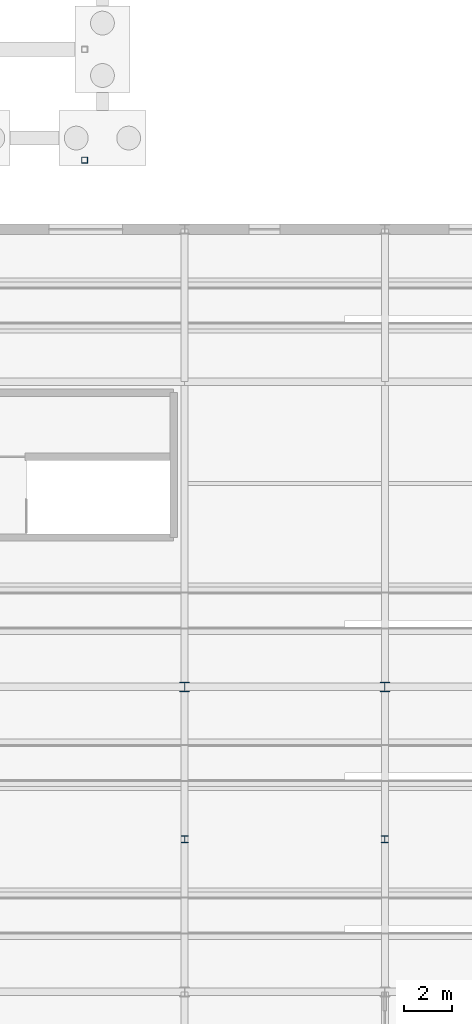
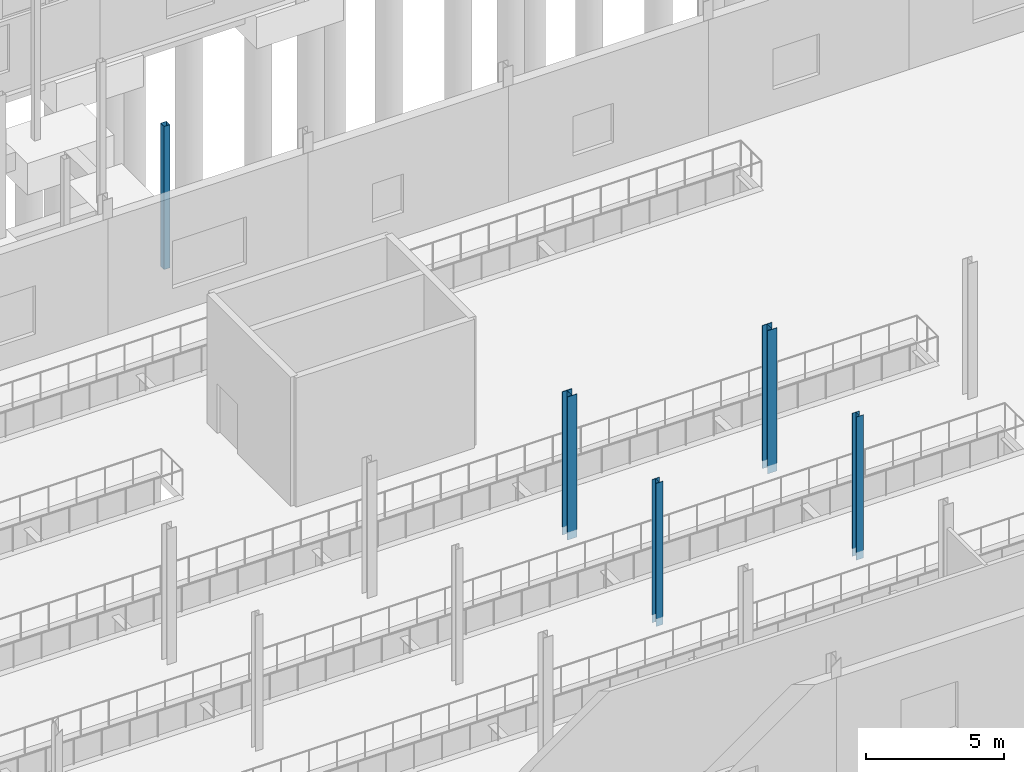
# One storey, part 20 of 139: 5 columns.
"""IFC4 building model written with IfcOpenShell, lengths in metres."""

from ifc_helpers import new_model, si_unit, direction, frame, origin, origin_2d, place, context, subcontext, project, spatial, hollow_rectangle, i_section, extrude, material, material_profile, profile_set, type_object, element, save


model = new_model("IFC4")

# Units and contexts
model_context = context("Model", 3, precision=1e-05, world=origin(), true_north=direction((0.0, 1.0)))
body_context = subcontext(model_context, "Body", "Model", "MODEL_VIEW")
ifc_project = project(units=[si_unit("LENGTHUNIT", "METRE"), si_unit("AREAUNIT", "SQUARE_METRE"), si_unit("VOLUMEUNIT", "CUBIC_METRE"), si_unit("PLANEANGLEUNIT", "RADIAN"), si_unit("MASSUNIT", "GRAM", prefix="KILO")], contexts=[model_context])

# Site, building, storey
site_placement = place(None, origin())
site = spatial("IfcSite", under=ifc_project, at=site_placement, CompositionType="ELEMENT")
building_placement = place(site_placement, origin())
building = spatial("IfcBuilding", under=site, at=building_placement, Name="Kazenagashi Tramway Depot", CompositionType="ELEMENT")
storey_placement = place(building_placement, origin())
storey = spatial("IfcBuildingStorey", under=building, at=storey_placement, Name="L01", CompositionType="ELEMENT", Elevation=0.0)

# Columns
ifc_material_1 = material(Name="Steel SN490B", Category="steel")
ifc_material_profile_1 = material_profile(ifc_material_1, i_section(OverallWidth=0.4, OverallDepth=0.4, WebThickness=0.013, FlangeThickness=0.021, at=origin_2d()), Name="H-400x400x13x21")
ifc_profile_set_1 = profile_set([ifc_material_profile_1], Name="Steel SN490B")
column_type_1 = type_object("IfcColumnType", Name="C-03", PredefinedType="COLUMN", material=ifc_profile_set_1)
for number, where, z_axis, x_axis, name in (
    (1, (95.2, 35.7, -0.35), (0.0, 0.0, 1.0), (1.0, 0.0, 0.0), "Column C-03 COL-0256"),
    (2, (103.6, 35.7, -0.35), (0.0, 0.0, 1.0), (1.0, 0.0, 0.0), "Column C-03 COL-0273"),
):
    element("IfcColumn", number, at=place(storey_placement, frame(where, z_axis=z_axis, x_axis=x_axis)), inside=storey, type_object=column_type_1, Name=name, PredefinedType="COLUMN", context=body_context, shape_type="SweptSolid", body=[
        extrude(i_section(OverallWidth=0.4, OverallDepth=0.4, WebThickness=0.013, FlangeThickness=0.021, at=origin_2d()), origin(), (0.0, 0.0, 1.0), 6.35),
    ])
ifc_material_profile_2 = material_profile(ifc_material_1, i_section(OverallWidth=0.3, OverallDepth=0.3, WebThickness=0.01, FlangeThickness=0.015, at=origin_2d()), Name="H-300x300x10x15")
ifc_profile_set_2 = profile_set([ifc_material_profile_2], Name="Steel SN490B")
column_type_2 = type_object("IfcColumnType", Name="C-05", PredefinedType="COLUMN", material=ifc_profile_set_2)
for number, where, z_axis, x_axis, name in (
    (3, (95.2, 29.3, -0.35), (0.0, 0.0, 1.0), (1.0, 0.0, 0.0), "Column C-05 COL-0254"),
    (4, (103.6, 29.3, -0.35), (0.0, 0.0, 1.0), (1.0, 0.0, 0.0), "Column C-05 COL-0271"),
):
    element("IfcColumn", number, at=place(storey_placement, frame(where, z_axis=z_axis, x_axis=x_axis)), inside=storey, type_object=column_type_2, Name=name, PredefinedType="COLUMN", context=body_context, shape_type="SweptSolid", body=[
        extrude(i_section(OverallWidth=0.3, OverallDepth=0.3, WebThickness=0.01, FlangeThickness=0.015, at=origin_2d()), origin(), (0.0, 0.0, 1.0), 6.35),
    ])
ifc_material_2 = material(Name="Weathering Steel SMA490W", Category="steel")
ifc_material_profile_3 = material_profile(ifc_material_2, hollow_rectangle(XDim=0.25, YDim=0.25, WallThickness=0.009, at=origin_2d()), Name="SHS-250x250x9")
ifc_profile_set_3 = profile_set([ifc_material_profile_3], Name="Weathering Steel SMA490W")
column_type_3 = type_object("IfcColumnType", Name="C-10", PredefinedType="COLUMN", material=ifc_profile_set_3)
column_placement = place(storey_placement, frame((91.0, 57.8, -0.35), z_axis=(0.0, 0.0, 1.0), x_axis=(1.0, 0.0, 0.0)))
element("IfcColumn", 5, at=column_placement, inside=storey, type_object=column_type_3, Name="Column C-10 COL-0869", PredefinedType="COLUMN", context=body_context, shape_type="SweptSolid", body=[
    extrude(hollow_rectangle(XDim=0.25, YDim=0.25, WallThickness=0.009, at=origin_2d()), origin(), (0.0, 0.0, 1.0), 6.35),
])

save(model, "model.ifc")
